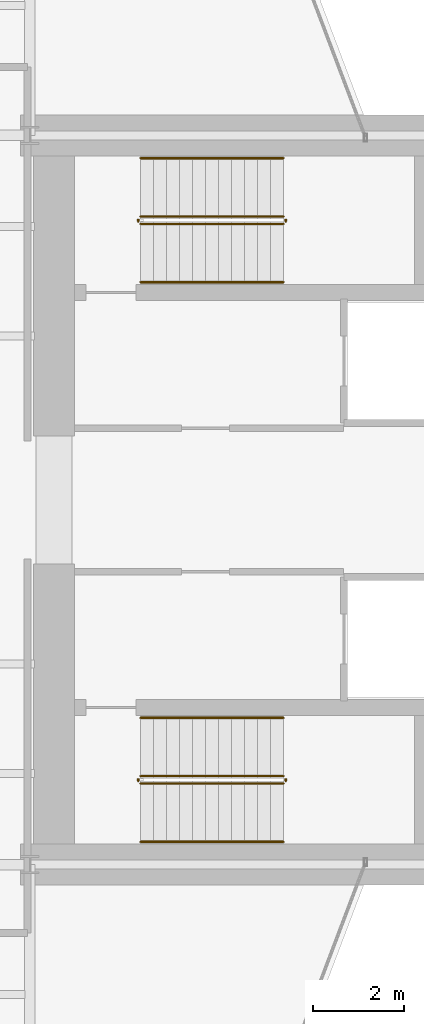
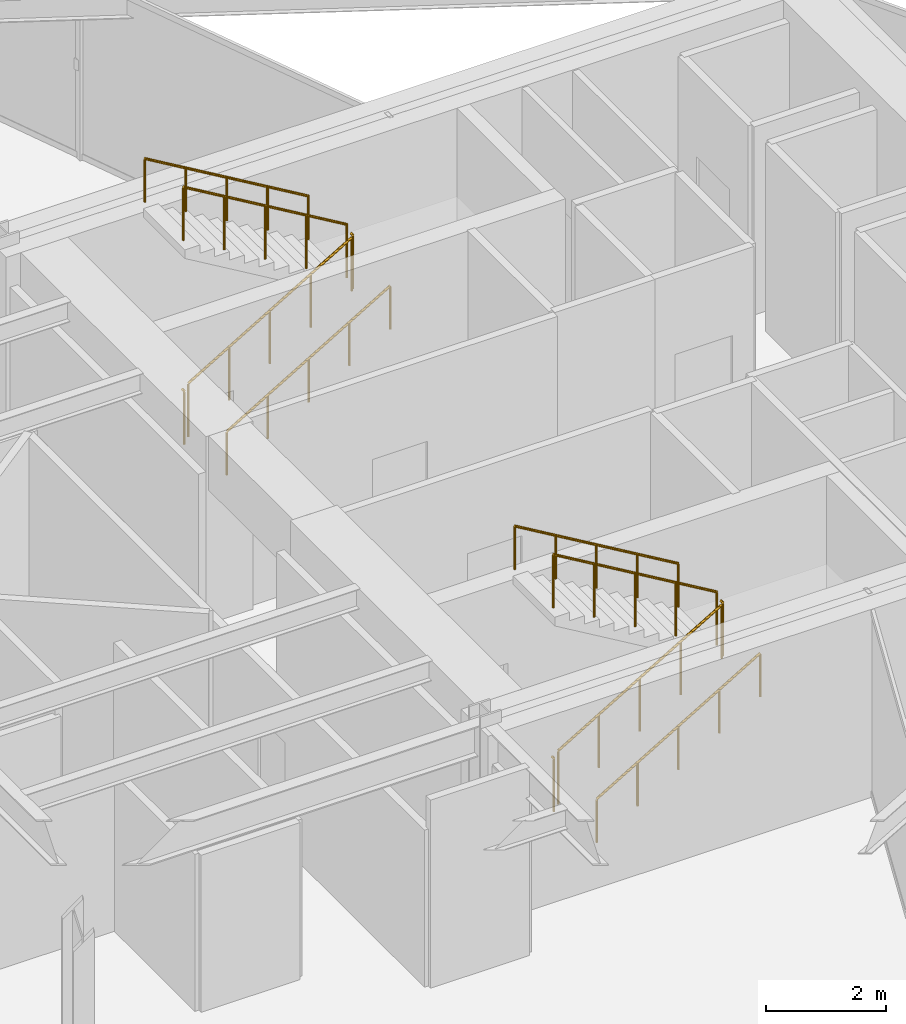
# One storey, part 29 of 29: 12 railings.
"""IFC4 building model written with IfcOpenShell, lengths in metres."""

from ifc_helpers import new_model, si_unit, direction, frame, origin, origin_2d, place, context, subcontext, project, spatial, circle, extrude, material, type_object, element, save


model = new_model("IFC4")

# Units and contexts
model_context = context("Model", 3, precision=1e-05, world=origin(), true_north=direction((0.0, 1.0)))
body_context = subcontext(model_context, "Body", "Model", "MODEL_VIEW")
ifc_project = project(units=[si_unit("LENGTHUNIT", "METRE"), si_unit("AREAUNIT", "SQUARE_METRE"), si_unit("VOLUMEUNIT", "CUBIC_METRE"), si_unit("PLANEANGLEUNIT", "RADIAN"), si_unit("MASSUNIT", "GRAM", prefix="KILO")], contexts=[model_context])

# Site, building, storey
site_placement = place(None, origin())
site = spatial("IfcSite", under=ifc_project, at=site_placement, CompositionType="ELEMENT")
building_placement = place(site_placement, origin())
building = spatial("IfcBuilding", under=site, at=building_placement, Name="Veymaron Broadcast Tower", CompositionType="ELEMENT")
storey_placement = place(building_placement, frame((0.0, 0.0, 41.85009765625)))
storey = spatial("IfcBuildingStorey", under=building, at=storey_placement, Name="L08", CompositionType="ELEMENT", Elevation=41.85009765625)

# Railings
ifc_material_1 = material(Name="Brushed stainless steel AISI 304", Category="steel")
railing_type_1 = type_object("IfcRailingType", Name="RAIL-STAIR-HR", PredefinedType="HANDRAIL", material=ifc_material_1)
railing_1_placement = place(storey_placement, frame((41.429931640625, 28.780029296875, 0.168701171875)))
element("IfcRailing", 1, at=railing_1_placement, inside=storey, type_object=railing_type_1, Name="L08 ST1 stair handrail 1", PredefinedType="HANDRAIL", context=body_context, shape_type="SweptSolid", body=[
    extrude(circle(Radius=0.02392578125, at=origin_2d()), frame((0.0, 0.0, 0.8759765625), z_axis=(0.860481960309, 0.0, 0.509480908359), x_axis=(0.0, 1.0, 0.0)), (0.0, 0.0, 1.0), 3.643310546875),
    extrude(circle(Radius=0.02099609375, at=origin_2d()), origin(), (0.0, 0.0, 1.0), 0.851806640625),
    extrude(circle(Radius=0.02099609375, at=origin_2d()), frame((0.78369140625, 0.0, 0.464111328125)), (0.0, 0.0, 1.0), 0.851806640625),
    extrude(circle(Radius=0.02099609375, at=origin_2d()), frame((1.5673828125, 0.0, 0.92822265625)), (0.0, 0.0, 1.0), 0.851806640625),
    extrude(circle(Radius=0.02099609375, at=origin_2d()), frame((2.351318359375, 0.0, 1.39208984375)), (0.0, 0.0, 1.0), 0.851806640625),
    extrude(circle(Radius=0.02099609375, at=origin_2d()), frame((3.135009765625, 0.0, 1.856201171875)), (0.0, 0.0, 1.0), 0.851806640625),
])
railing_2_placement = place(storey_placement, frame((44.56494140625, 31.5, 2.193603515625)))
element("IfcRailing", 2, at=railing_2_placement, inside=storey, type_object=railing_type_1, Name="L08 ST1 stair handrail 2", PredefinedType="HANDRAIL", context=body_context, shape_type="SweptSolid", body=[
    extrude(circle(Radius=0.02392578125, at=origin_2d()), frame((0.0, 0.0, 0.8759765625), z_axis=(-0.860481960309, 0.0, 0.509480908359), x_axis=(0.0, -1.0, 0.0)), (0.0, 0.0, 1.0), 3.643310546875),
    extrude(circle(Radius=0.02099609375, at=origin_2d()), origin(), (0.0, 0.0, 1.0), 0.851806640625),
    extrude(circle(Radius=0.02099609375, at=origin_2d()), frame((-0.78369140625, 0.0, 0.464111328125)), (0.0, 0.0, 1.0), 0.851806640625),
    extrude(circle(Radius=0.02099609375, at=origin_2d()), frame((-1.5673828125, 0.0, 0.92822265625)), (0.0, 0.0, 1.0), 0.851806640625),
    extrude(circle(Radius=0.02099609375, at=origin_2d()), frame((-2.351318359375, 0.0, 1.39208984375)), (0.0, 0.0, 1.0), 0.851806640625),
    extrude(circle(Radius=0.02099609375, at=origin_2d()), frame((-3.135009765625, 0.0, 1.856201171875)), (0.0, 0.0, 1.0), 0.851806640625),
])
railing_3_placement = place(storey_placement, frame((41.429931640625, 16.5, 0.168701171875)))
element("IfcRailing", 3, at=railing_3_placement, inside=storey, type_object=railing_type_1, Name="L08 ST2 stair handrail 1", PredefinedType="HANDRAIL", context=body_context, shape_type="SweptSolid", body=[
    extrude(circle(Radius=0.02392578125, at=origin_2d()), frame((0.0, 0.0, 0.8759765625), z_axis=(0.860481960309, 0.0, 0.509480908359), x_axis=(0.0, 1.0, 0.0)), (0.0, 0.0, 1.0), 3.643310546875),
    extrude(circle(Radius=0.02099609375, at=origin_2d()), origin(), (0.0, 0.0, 1.0), 0.851806640625),
    extrude(circle(Radius=0.02099609375, at=origin_2d()), frame((0.78369140625, 0.0, 0.464111328125)), (0.0, 0.0, 1.0), 0.851806640625),
    extrude(circle(Radius=0.02099609375, at=origin_2d()), frame((1.5673828125, 0.0, 0.92822265625)), (0.0, 0.0, 1.0), 0.851806640625),
    extrude(circle(Radius=0.02099609375, at=origin_2d()), frame((2.351318359375, 0.0, 1.39208984375)), (0.0, 0.0, 1.0), 0.851806640625),
    extrude(circle(Radius=0.02099609375, at=origin_2d()), frame((3.135009765625, 0.0, 1.856201171875)), (0.0, 0.0, 1.0), 0.851806640625),
])
railing_4_placement = place(storey_placement, frame((44.56494140625, 19.219970703125, 2.193603515625)))
element("IfcRailing", 4, at=railing_4_placement, inside=storey, type_object=railing_type_1, Name="L08 ST2 stair handrail 2", PredefinedType="HANDRAIL", context=body_context, shape_type="SweptSolid", body=[
    extrude(circle(Radius=0.02392578125, at=origin_2d()), frame((0.0, 0.0, 0.8759765625), z_axis=(-0.860481960309, 0.0, 0.509480908359), x_axis=(0.0, -1.0, 0.0)), (0.0, 0.0, 1.0), 3.643310546875),
    extrude(circle(Radius=0.02099609375, at=origin_2d()), origin(), (0.0, 0.0, 1.0), 0.851806640625),
    extrude(circle(Radius=0.02099609375, at=origin_2d()), frame((-0.78369140625, 0.0, 0.464111328125)), (0.0, 0.0, 1.0), 0.851806640625),
    extrude(circle(Radius=0.02099609375, at=origin_2d()), frame((-1.5673828125, 0.0, 0.92822265625)), (0.0, 0.0, 1.0), 0.851806640625),
    extrude(circle(Radius=0.02099609375, at=origin_2d()), frame((-2.351318359375, 0.0, 1.39208984375)), (0.0, 0.0, 1.0), 0.851806640625),
    extrude(circle(Radius=0.02099609375, at=origin_2d()), frame((-3.135009765625, 0.0, 1.856201171875)), (0.0, 0.0, 1.0), 0.851806640625),
])
ifc_material_2 = material(Name="Painted galvanized steel balustrade", Category="steel")
railing_type_2 = type_object("IfcRailingType", Name="RAIL-WELL-GRD", PredefinedType="GUARDRAIL", material=ifc_material_2)
railing_5_placement = place(storey_placement, frame((41.429931640625, 30.06005859375, 0.168701171875)))
element("IfcRailing", 5, at=railing_5_placement, inside=storey, type_object=railing_type_2, Name="L08 ST1 stair guard 1", PredefinedType="GUARDRAIL", context=body_context, shape_type="SweptSolid", body=[
    extrude(circle(Radius=0.02392578125, at=origin_2d()), frame((0.0, 0.0, 1.076171875), z_axis=(0.860481960309, 0.0, 0.509480908359), x_axis=(0.0, 1.0, 0.0)), (0.0, 0.0, 1.0), 3.643310546875),
    extrude(circle(Radius=0.02099609375, at=origin_2d()), origin(), (0.0, 0.0, 1.0), 1.052001953125),
    extrude(circle(Radius=0.02099609375, at=origin_2d()), frame((0.78369140625, 0.0, 0.464111328125)), (0.0, 0.0, 1.0), 1.052001953125),
    extrude(circle(Radius=0.02099609375, at=origin_2d()), frame((1.5673828125, 0.0, 0.92822265625)), (0.0, 0.0, 1.0), 1.052001953125),
    extrude(circle(Radius=0.02099609375, at=origin_2d()), frame((2.351318359375, 0.0, 1.39208984375)), (0.0, 0.0, 1.0), 1.052001953125),
    extrude(circle(Radius=0.02099609375, at=origin_2d()), frame((3.135009765625, 0.0, 1.856201171875)), (0.0, 0.0, 1.0), 1.052001953125),
])
railing_6_placement = place(storey_placement, frame((44.614990234375, 30.110107421875, 2.02490234375)))
element("IfcRailing", 6, at=railing_6_placement, inside=storey, type_object=railing_type_2, Name="L08 ST1 stair guard 2", PredefinedType="GUARDRAIL", context=body_context, shape_type="SweptSolid", body=[
    extrude(circle(Radius=0.02392578125, at=origin_2d()), frame((0.0, 0.0, 1.076171875), z_axis=(0.0, 1.0, 0.0), x_axis=(-1.0, 0.0, 0.0)), (0.0, 0.0, 1.0), 0.059814453125),
    extrude(circle(Radius=0.02099609375, at=origin_2d()), origin(), (0.0, 0.0, 1.0), 1.052001953125),
])
railing_7_placement = place(storey_placement, frame((44.56494140625, 30.219970703125, 2.193603515625)))
element("IfcRailing", 7, at=railing_7_placement, inside=storey, type_object=railing_type_2, Name="L08 ST1 stair guard 3", PredefinedType="GUARDRAIL", context=body_context, shape_type="SweptSolid", body=[
    extrude(circle(Radius=0.02392578125, at=origin_2d()), frame((0.0, 0.0, 1.076171875), z_axis=(-0.860481960309, 0.0, 0.509480908359), x_axis=(0.0, -1.0, 0.0)), (0.0, 0.0, 1.0), 3.643310546875),
    extrude(circle(Radius=0.02099609375, at=origin_2d()), origin(), (0.0, 0.0, 1.0), 1.052001953125),
    extrude(circle(Radius=0.02099609375, at=origin_2d()), frame((-0.78369140625, 0.0, 0.464111328125)), (0.0, 0.0, 1.0), 1.052001953125),
    extrude(circle(Radius=0.02099609375, at=origin_2d()), frame((-1.5673828125, 0.0, 0.92822265625)), (0.0, 0.0, 1.0), 1.052001953125),
    extrude(circle(Radius=0.02099609375, at=origin_2d()), frame((-2.351318359375, 0.0, 1.39208984375)), (0.0, 0.0, 1.0), 1.052001953125),
    extrude(circle(Radius=0.02099609375, at=origin_2d()), frame((-3.135009765625, 0.0, 1.856201171875)), (0.0, 0.0, 1.0), 1.052001953125),
])
railing_8_placement = place(storey_placement, frame((41.3798828125, 30.110107421875, 0.0)))
element("IfcRailing", 8, at=railing_8_placement, inside=storey, type_object=railing_type_2, Name="L08 ST1 stair guard 4", PredefinedType="GUARDRAIL", context=body_context, shape_type="SweptSolid", body=[
    extrude(circle(Radius=0.02392578125, at=origin_2d()), frame((0.0, 0.0, 1.076171875), z_axis=(0.0, 1.0, 0.0), x_axis=(-1.0, 0.0, 0.0)), (0.0, 0.0, 1.0), 0.059814453125),
    extrude(circle(Radius=0.02099609375, at=origin_2d()), origin(), (0.0, 0.0, 1.0), 1.052001953125),
])
railing_9_placement = place(storey_placement, frame((41.429931640625, 17.780029296875, 0.168701171875)))
element("IfcRailing", 9, at=railing_9_placement, inside=storey, type_object=railing_type_2, Name="L08 ST2 stair guard 1", PredefinedType="GUARDRAIL", context=body_context, shape_type="SweptSolid", body=[
    extrude(circle(Radius=0.02392578125, at=origin_2d()), frame((0.0, 0.0, 1.076171875), z_axis=(0.860481960309, 0.0, 0.509480908359), x_axis=(0.0, 1.0, 0.0)), (0.0, 0.0, 1.0), 3.643310546875),
    extrude(circle(Radius=0.02099609375, at=origin_2d()), origin(), (0.0, 0.0, 1.0), 1.052001953125),
    extrude(circle(Radius=0.02099609375, at=origin_2d()), frame((0.78369140625, 0.0, 0.464111328125)), (0.0, 0.0, 1.0), 1.052001953125),
    extrude(circle(Radius=0.02099609375, at=origin_2d()), frame((1.5673828125, 0.0, 0.92822265625)), (0.0, 0.0, 1.0), 1.052001953125),
    extrude(circle(Radius=0.02099609375, at=origin_2d()), frame((2.351318359375, 0.0, 1.39208984375)), (0.0, 0.0, 1.0), 1.052001953125),
    extrude(circle(Radius=0.02099609375, at=origin_2d()), frame((3.135009765625, 0.0, 1.856201171875)), (0.0, 0.0, 1.0), 1.052001953125),
])
railing_10_placement = place(storey_placement, frame((44.614990234375, 17.830078125, 2.02490234375)))
element("IfcRailing", 10, at=railing_10_placement, inside=storey, type_object=railing_type_2, Name="L08 ST2 stair guard 2", PredefinedType="GUARDRAIL", context=body_context, shape_type="SweptSolid", body=[
    extrude(circle(Radius=0.02392578125, at=origin_2d()), frame((0.0, 0.0, 1.076171875), z_axis=(0.0, 1.0, 0.0), x_axis=(-1.0, 0.0, 0.0)), (0.0, 0.0, 1.0), 0.059814453125),
    extrude(circle(Radius=0.02099609375, at=origin_2d()), origin(), (0.0, 0.0, 1.0), 1.052001953125),
])
railing_11_placement = place(storey_placement, frame((44.56494140625, 17.93994140625, 2.193603515625)))
element("IfcRailing", 11, at=railing_11_placement, inside=storey, type_object=railing_type_2, Name="L08 ST2 stair guard 3", PredefinedType="GUARDRAIL", context=body_context, shape_type="SweptSolid", body=[
    extrude(circle(Radius=0.02392578125, at=origin_2d()), frame((0.0, 0.0, 1.076171875), z_axis=(-0.860481960309, 0.0, 0.509480908359), x_axis=(0.0, -1.0, 0.0)), (0.0, 0.0, 1.0), 3.643310546875),
    extrude(circle(Radius=0.02099609375, at=origin_2d()), origin(), (0.0, 0.0, 1.0), 1.052001953125),
    extrude(circle(Radius=0.02099609375, at=origin_2d()), frame((-0.78369140625, 0.0, 0.464111328125)), (0.0, 0.0, 1.0), 1.052001953125),
    extrude(circle(Radius=0.02099609375, at=origin_2d()), frame((-1.5673828125, 0.0, 0.92822265625)), (0.0, 0.0, 1.0), 1.052001953125),
    extrude(circle(Radius=0.02099609375, at=origin_2d()), frame((-2.351318359375, 0.0, 1.39208984375)), (0.0, 0.0, 1.0), 1.052001953125),
    extrude(circle(Radius=0.02099609375, at=origin_2d()), frame((-3.135009765625, 0.0, 1.856201171875)), (0.0, 0.0, 1.0), 1.052001953125),
])
railing_12_placement = place(storey_placement, frame((41.3798828125, 17.830078125, 0.0)))
element("IfcRailing", 12, at=railing_12_placement, inside=storey, type_object=railing_type_2, Name="L08 ST2 stair guard 4", PredefinedType="GUARDRAIL", context=body_context, shape_type="SweptSolid", body=[
    extrude(circle(Radius=0.02392578125, at=origin_2d()), frame((0.0, 0.0, 1.076171875), z_axis=(0.0, 1.0, 0.0), x_axis=(-1.0, 0.0, 0.0)), (0.0, 0.0, 1.0), 0.059814453125),
    extrude(circle(Radius=0.02099609375, at=origin_2d()), origin(), (0.0, 0.0, 1.0), 1.052001953125),
])

save(model, "model.ifc")
